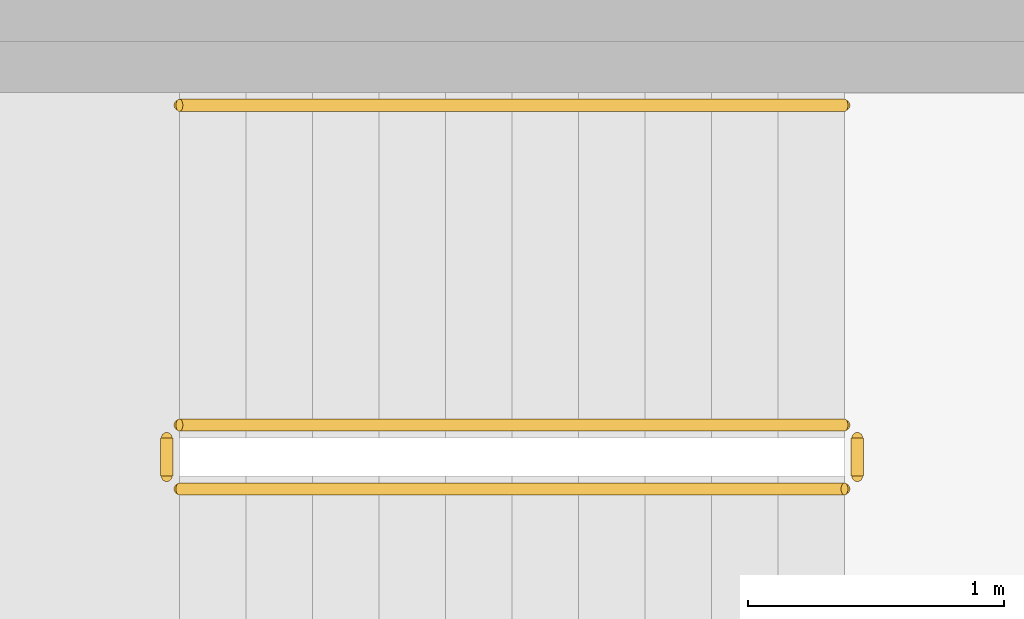
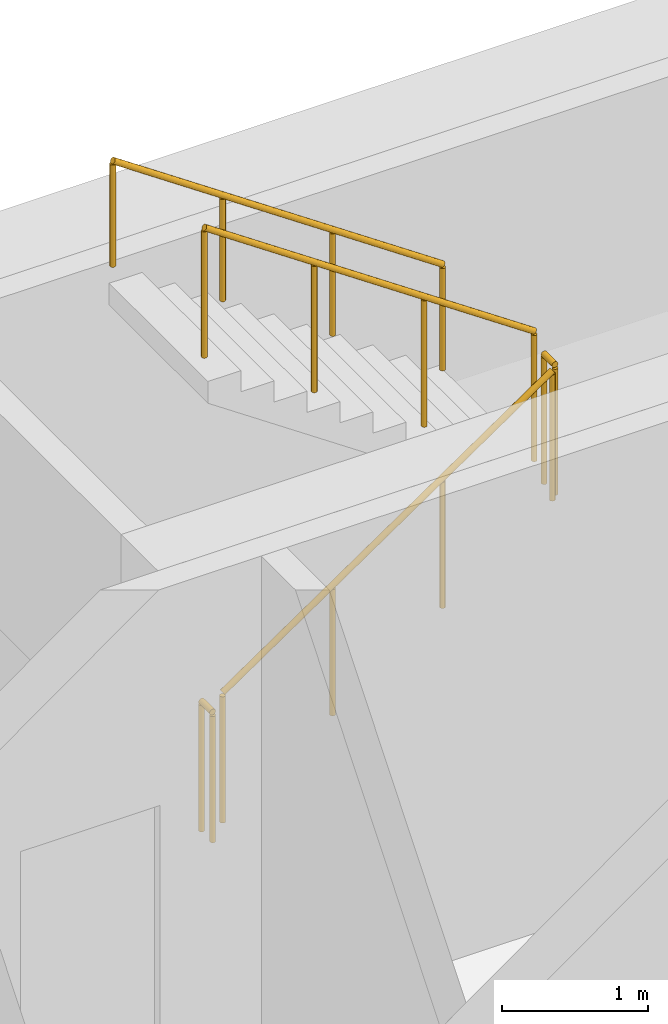
# One storey, part 8 of 8: 5 railings.
"""IFC4 building model written with IfcOpenShell, lengths in metres."""

import ifcopenshell
import ifcopenshell.guid

model = None  # the IFC model being written
_history = None  # IfcOwnerHistory: only IFC2X3 demands one
_inside = {}  # id of a spatial element -> (the spatial element, [elements in it])
_under = {}  # id of a project, library or spatial element -> (it, [spatial elements below it])
_declared = {}  # id of a project -> (the project, [libraries it declares])
_typed = {}  # id of a type object -> (the type object, [elements of that type])
_made_of = {}  # id of a material, layer set ... -> (it, [elements and type objects made of it])


def new_model(schema):
    """Start an empty IFC model of exactly this schema.

    Asked for "IFC4X3", IfcOpenShell would pick the latest addendum, in which some entities
    have other attributes; the version numbers below select the first issue.
    IFC2X3 requires an IfcOwnerHistory on every rooted entity: one is made here for all.
    """
    global model, _history
    if schema == "IFC4X3":
        model = ifcopenshell.file(schema_version=(4, 3, 0, 0))
    else:
        model = ifcopenshell.file(schema=schema)
    _inside.clear()
    _under.clear()
    _declared.clear()
    _typed.clear()
    _made_of.clear()
    _history = None
    if model.schema == "IFC2X3":
        org = make("IfcOrganization", Name="unknown")
        user = make(
            "IfcPersonAndOrganization",
            ThePerson=make("IfcPerson", FamilyName="unknown"),
            TheOrganization=org,
        )
        app = make(
            "IfcApplication",
            ApplicationDeveloper=org,
            Version="unknown",
            ApplicationFullName="unknown",
            ApplicationIdentifier="unknown",
        )
        _history = make(
            "IfcOwnerHistory",
            OwningUser=user,
            OwningApplication=app,
            ChangeAction="ADDED",
            CreationDate=0,
        )
    return model


def make(cls, **values):
    """One entity of the class cls with the attributes given. An attribute that is None is left unset."""
    return model.create_entity(
        cls, **{name: value for name, value in values.items() if value is not None}
    )


def rooted(cls, **values):
    """An entity with a GlobalId (a new one), such as an element, a storey or a relation."""
    return make(cls, GlobalId=ifcopenshell.guid.new(), OwnerHistory=_history, **values)


def si_unit(unit_type, name, prefix=None):
    """IfcSIUnit, for example si_unit("LENGTHUNIT", "METRE", prefix="MILLI")."""
    return make("IfcSIUnit", UnitType=unit_type, Prefix=prefix, Name=name)


def assignment(units):
    """IfcUnitAssignment: the units of a project."""
    return None if units is None else make("IfcUnitAssignment", Units=units)


def point(xyz):
    """IfcCartesianPoint."""
    return None if xyz is None else make("IfcCartesianPoint", Coordinates=xyz)


def direction(xyz):
    """IfcDirection."""
    return None if xyz is None else make("IfcDirection", DirectionRatios=xyz)


def frame(location, z_axis=None, x_axis=None):
    """IfcAxis2Placement3D, a coordinate frame: its origin and axes. An axis left out is left unset."""
    return make(
        "IfcAxis2Placement3D",
        Location=point(location),
        Axis=direction(z_axis),
        RefDirection=direction(x_axis),
    )


def frame_2d(location, x_axis=None):
    """IfcAxis2Placement2D, a coordinate frame in the plane: its origin and x axis."""
    return make(
        "IfcAxis2Placement2D", Location=point(location), RefDirection=direction(x_axis)
    )


def origin():
    """The frame at (0, 0, 0) with its axes left unset."""
    return frame((0.0, 0.0, 0.0))


def origin_2d():
    """The frame at (0, 0) in the plane with its x axis left unset."""
    return frame_2d((0.0, 0.0))


def place(relative_to, where):
    """IfcLocalPlacement: puts the frame where relative to a parent placement (None: the world)."""
    return make(
        "IfcLocalPlacement", PlacementRelTo=relative_to, RelativePlacement=where
    )


def context(
    kind, dimensions, precision=None, world=None, true_north=None, identifier=None
):
    """IfcGeometricRepresentationContext, for example the 3D "Model" context."""
    return make(
        "IfcGeometricRepresentationContext",
        ContextIdentifier=identifier,
        ContextType=kind,
        CoordinateSpaceDimension=dimensions,
        Precision=precision,
        WorldCoordinateSystem=world,
        TrueNorth=true_north,
    )


def subcontext(parent, identifier, kind, view, scale=None):
    """IfcGeometricRepresentationSubContext, for example "Body" below "Model"."""
    return make(
        "IfcGeometricRepresentationSubContext",
        ContextIdentifier=identifier,
        ContextType=kind,
        ParentContext=parent,
        TargetScale=scale,
        TargetView=view,
    )


def project(units=None, contexts=None):
    """IfcProject with its units and contexts."""
    return rooted(
        "IfcProject",
        Name="project",
        RepresentationContexts=contexts,
        UnitsInContext=assignment(units),
    )


def spatial(cls, under=None, at=None, **own):
    """A site, building, storey or space (cls), placed at a placement, below another one or the project."""
    s = rooted(cls, ObjectPlacement=at, **own)
    if under is not None:
        _under.setdefault(under.id(), (under, []))[1].append(s)
    return s


def profile(cls, at=None, kind="AREA", **sizes):
    """A parametric profile (cls). Its sizes go by their IFC names, for example OverallWidth=200.0."""
    return make(cls, ProfileType=kind, Position=at, **sizes)


def circle(**sizes):
    """IfcCircleProfileDef."""
    return profile("IfcCircleProfileDef", **sizes)


def extrude(swept, where, along, depth):
    """IfcExtrudedAreaSolid: the profile swept, set in the frame where, extruded along a direction by depth."""
    return make(
        "IfcExtrudedAreaSolid",
        SweptArea=swept,
        Position=where,
        ExtrudedDirection=direction(along),
        Depth=depth,
    )


def shape(context_of_items, identifier, shape_type, items):
    """IfcShapeRepresentation: the items that make up one representation, for example the "Body"."""
    return make(
        "IfcShapeRepresentation",
        ContextOfItems=context_of_items,
        RepresentationIdentifier=identifier,
        RepresentationType=shape_type,
        Items=items,
    )


def material(Name=None, Category=None):
    """IfcMaterial."""
    return make("IfcMaterial", Name=Name, Category=Category)


def made_of(thing, what):
    """Note that an element or type object is made of a material, layer set ...; save() writes the relation."""
    if what is not None:
        _made_of.setdefault(what.id(), (what, []))[1].append(thing)
    return thing


def type_object(cls, material=None, **own):
    """A type object (cls), such as IfcWallType, which elements share."""
    return made_of(rooted(cls, **own), material)


def element(
    cls,
    number,
    at=None,
    inside=None,
    cuts=None,
    type_object=None,
    material=None,
    context=None,
    identifier="Body",
    shape_type=None,
    held_by="IfcProductDefinitionShape",
    body=None,
    shapes=None,
    **own,
):
    """One element of the class cls, such as IfcWall. Its Tag is "e" and its number.

    at: its placement. inside: the storey or other place that contains it. cuts: it is an
    opening in that element (IfcRelVoidsElement). A single representation is given by context,
    identifier, shape_type and body (its items); several are given by shapes. held_by: the class
    of the entity that holds the representations. save() writes the other relations.
    """
    e = rooted(cls, Tag="e%d" % number, ObjectPlacement=at, **own)
    if body is not None:
        shapes = [shape(context, identifier, shape_type, body)]
    if shapes is not None:
        e.Representation = make(held_by, Representations=shapes)
    if inside is not None:
        _inside.setdefault(inside.id(), (inside, []))[1].append(e)
    if cuts is not None:
        rooted(
            "IfcRelVoidsElement", RelatingBuildingElement=cuts, RelatedOpeningElement=e
        )
    if type_object is not None:
        _typed.setdefault(type_object.id(), (type_object, []))[1].append(e)
    return made_of(e, material)


def aggregate(whole, parts):
    """IfcRelAggregates: a whole, such as a stair, and the parts it consists of."""
    return rooted("IfcRelAggregates", RelatingObject=whole, RelatedObjects=parts)


def save(model, path):
    """Write the relations noted so far, then the file.

    IfcRelAggregates (storeys below a building ...), IfcRelContainedInSpatialStructure (elements
    in a storey), IfcRelDefinesByType, IfcRelAssociatesMaterial and IfcRelDeclares: one each for
    every whole, place, type object, material and project.
    """
    for whole, parts in _under.values():
        aggregate(whole, parts)
    for where, things in _inside.values():
        rooted(
            "IfcRelContainedInSpatialStructure",
            RelatedElements=things,
            RelatingStructure=where,
        )
    for kind, things in _typed.values():
        rooted("IfcRelDefinesByType", RelatedObjects=things, RelatingType=kind)
    for what, things in _made_of.values():
        rooted("IfcRelAssociatesMaterial", RelatedObjects=things, RelatingMaterial=what)
    for by, libraries in _declared.values():
        rooted("IfcRelDeclares", RelatingContext=by, RelatedDefinitions=libraries)
    model.write(path)


model = new_model("IFC4")

# Units and contexts
model_context = context("Model", 3, precision=1e-05, world=origin(), true_north=direction((0.0, 1.0)))
body_context = subcontext(model_context, "Body", "Model", "MODEL_VIEW")
ifc_project = project(units=[si_unit("LENGTHUNIT", "METRE"), si_unit("AREAUNIT", "SQUARE_METRE"), si_unit("VOLUMEUNIT", "CUBIC_METRE"), si_unit("PLANEANGLEUNIT", "RADIAN"), si_unit("MASSUNIT", "GRAM", prefix="KILO")], contexts=[model_context])

# Site, building, storey
site_placement = place(None, origin())
site = spatial("IfcSite", under=ifc_project, at=site_placement, CompositionType="ELEMENT")
building_placement = place(site_placement, origin())
building = spatial("IfcBuilding", under=site, at=building_placement, Name="White Candle Pilgrim Tower", CompositionType="ELEMENT")
storey_placement = place(building_placement, frame((0.0, 0.0, 275.60009765625)))
storey = spatial("IfcBuildingStorey", under=building, at=storey_placement, Name="L65", CompositionType="ELEMENT", Elevation=275.60009765625)

# Railings
ifc_material = material(Name="Stainless steel", Category="steel")
railing_type_1 = type_object("IfcRailingType", Name="Stair guard stainless steel 1100 mm", PredefinedType="GUARDRAIL", material=ifc_material)
railing_1_placement = place(storey_placement, frame((69.39990234375, 85.550048828125, 0.17724609375)))
element("IfcRailing", 1, at=railing_1_placement, inside=storey, type_object=railing_type_1, Name="L65 ST3 stair guard 1", PredefinedType="GUARDRAIL", context=body_context, shape_type="SweptSolid", body=[
    extrude(circle(Radius=0.02392578125, at=origin_2d()), frame((0.0, 0.0, 1.076171875), z_axis=(0.826240473404, 0.0, 0.563317565952), x_axis=(0.0, 1.0, 0.0)), (0.0, 0.0, 1.0), 3.14697265625),
    extrude(circle(Radius=0.02099609375, at=origin_2d()), origin(), (0.0, 0.0, 1.0), 1.052001953125),
    extrude(circle(Radius=0.02099609375, at=origin_2d()), frame((0.86669921875, 0.0, 0.5908203125)), (0.0, 0.0, 1.0), 1.052001953125),
    extrude(circle(Radius=0.02099609375, at=origin_2d()), frame((1.7333984375, 0.0, 1.181884765625)), (0.0, 0.0, 1.0), 1.052001953125),
    extrude(circle(Radius=0.02099609375, at=origin_2d()), frame((2.60009765625, 0.0, 1.772705078125)), (0.0, 0.0, 1.0), 1.052001953125),
])
railing_2_placement = place(storey_placement, frame((72.050048828125, 85.60009765625, 1.949951171875)))
element("IfcRailing", 2, at=railing_2_placement, inside=storey, type_object=railing_type_1, Name="L65 ST3 stair guard 2", PredefinedType="GUARDRAIL", context=body_context, shape_type="SweptSolid", body=[
    extrude(circle(Radius=0.02392578125, at=origin_2d()), frame((0.0, 0.0, 1.076171875), z_axis=(0.0, 1.0, 0.0), x_axis=(-1.0, 0.0, 0.0)), (0.0, 0.0, 1.0), 0.14990234375),
    extrude(circle(Radius=0.02099609375, at=origin_2d()), origin(), (0.0, 0.0, 1.0), 1.052001953125),
    extrude(circle(Radius=0.02099609375, at=origin_2d()), frame((0.0, 0.14990234375, 0.0)), (0.0, 0.0, 1.0), 1.052001953125),
])
railing_3_placement = place(storey_placement, frame((72.0, 85.800048828125, 2.127197265625)))
element("IfcRailing", 3, at=railing_3_placement, inside=storey, type_object=railing_type_1, Name="L65 ST3 stair guard 3", PredefinedType="GUARDRAIL", context=body_context, shape_type="SweptSolid", body=[
    extrude(circle(Radius=0.02392578125, at=origin_2d()), frame((0.0, 0.0, 1.076171875), z_axis=(-0.826240473404, 0.0, 0.563317565952), x_axis=(0.0, -1.0, 0.0)), (0.0, 0.0, 1.0), 3.14697265625),
    extrude(circle(Radius=0.02099609375, at=origin_2d()), origin(), (0.0, 0.0, 1.0), 1.052001953125),
    extrude(circle(Radius=0.02099609375, at=origin_2d()), frame((-0.86669921875, 0.0, 0.5908203125)), (0.0, 0.0, 1.0), 1.052001953125),
    extrude(circle(Radius=0.02099609375, at=origin_2d()), frame((-1.7333984375, 0.0, 1.181884765625)), (0.0, 0.0, 1.0), 1.052001953125),
    extrude(circle(Radius=0.02099609375, at=origin_2d()), frame((-2.60009765625, 0.0, 1.772705078125)), (0.0, 0.0, 1.0), 1.052001953125),
])
railing_4_placement = place(storey_placement, frame((69.35009765625, 85.60009765625, 0.0)))
element("IfcRailing", 4, at=railing_4_placement, inside=storey, type_object=railing_type_1, Name="L65 ST3 stair guard 4", PredefinedType="GUARDRAIL", context=body_context, shape_type="SweptSolid", body=[
    extrude(circle(Radius=0.02392578125, at=origin_2d()), frame((0.0, 0.0, 1.076171875), z_axis=(0.0, 1.0, 0.0), x_axis=(-1.0, 0.0, 0.0)), (0.0, 0.0, 1.0), 0.14990234375),
    extrude(circle(Radius=0.02099609375, at=origin_2d()), origin(), (0.0, 0.0, 1.0), 1.052001953125),
    extrude(circle(Radius=0.02099609375, at=origin_2d()), frame((0.0, 0.14990234375, 0.0)), (0.0, 0.0, 1.0), 1.052001953125),
])
railing_type_2 = type_object("IfcRailingType", Name="Stair handrail stainless steel", PredefinedType="HANDRAIL", material=ifc_material)
railing_5_placement = place(storey_placement, frame((72.0, 87.050048828125, 2.127197265625)))
element("IfcRailing", 5, at=railing_5_placement, inside=storey, type_object=railing_type_2, Name="L65 ST3 stair handrail 2", PredefinedType="HANDRAIL", context=body_context, shape_type="SweptSolid", body=[
    extrude(circle(Radius=0.02392578125, at=origin_2d()), frame((0.0, 0.0, 0.8759765625), z_axis=(-0.826240473404, 0.0, 0.563317565952), x_axis=(0.0, -1.0, 0.0)), (0.0, 0.0, 1.0), 3.14697265625),
    extrude(circle(Radius=0.02099609375, at=origin_2d()), origin(), (0.0, 0.0, 1.0), 0.851806640625),
    extrude(circle(Radius=0.02099609375, at=origin_2d()), frame((-0.86669921875, 0.0, 0.5908203125)), (0.0, 0.0, 1.0), 0.851806640625),
    extrude(circle(Radius=0.02099609375, at=origin_2d()), frame((-1.7333984375, 0.0, 1.181884765625)), (0.0, 0.0, 1.0), 0.851806640625),
    extrude(circle(Radius=0.02099609375, at=origin_2d()), frame((-2.60009765625, 0.0, 1.772705078125)), (0.0, 0.0, 1.0), 0.851806640625),
])

save(model, "model.ifc")
